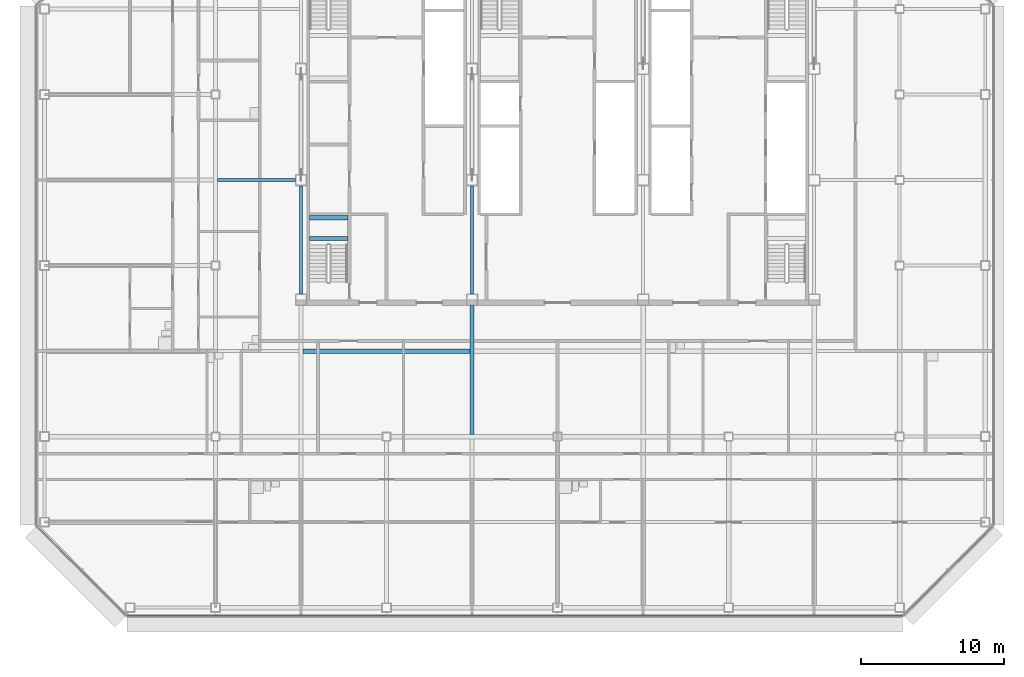
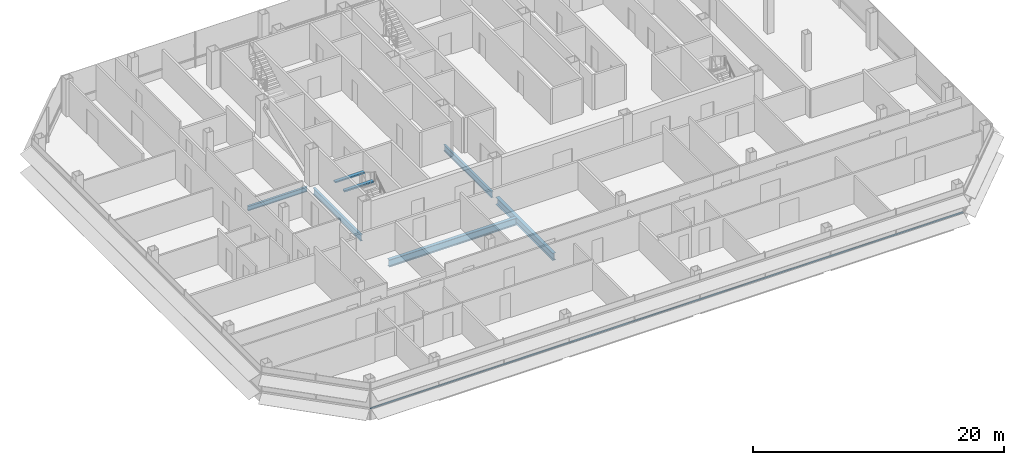
# One storey, part 7 of 26: 7 beams, 1 member, 1 element without a shape of its own.
"""IFC4 building model written with IfcOpenShell, lengths in metres."""

from ifc_helpers import new_model, si_unit, direction, frame, origin, origin_2d, place, context, subcontext, project, spatial, rectangle, i_section, extrude, material, material_profile, profile_set, type_object, element, aggregate, save


model = new_model("IFC4")

# Units and contexts
model_context = context("Model", 3, precision=1e-05, world=origin(), true_north=direction((0.0, 1.0)))
body_context = subcontext(model_context, "Body", "Model", "MODEL_VIEW")
ifc_project = project(units=[si_unit("LENGTHUNIT", "METRE"), si_unit("AREAUNIT", "SQUARE_METRE"), si_unit("VOLUMEUNIT", "CUBIC_METRE"), si_unit("PLANEANGLEUNIT", "RADIAN"), si_unit("MASSUNIT", "GRAM", prefix="KILO")], contexts=[model_context])

# Site, building, storey
site_placement = place(None, origin())
site = spatial("IfcSite", under=ifc_project, at=site_placement, CompositionType="ELEMENT")
building_placement = place(site_placement, origin())
building = spatial("IfcBuilding", under=site, at=building_placement, Name="Sorahane Residences", CompositionType="ELEMENT")
storey_placement = place(building_placement, frame((0.0, 0.0, 215.39990234375)))
storey = spatial("IfcBuildingStorey", under=building, at=storey_placement, Name="L50", CompositionType="ELEMENT", Elevation=215.39990234375)

# Curtain wall, member
ifc_material_1 = material(Name="Dark low-e glass and black anodised aluminium", Category="aluminium")
curtain_wall_type = type_object("IfcCurtainWallType", Name="Curtain wall CW-1 Typical unitised wall", PredefinedType="NOTDEFINED", material=ifc_material_1)
curtain_wall_placement = place(storey_placement, origin())
curtain_wall = element("IfcCurtainWall", 1, at=curtain_wall_placement, inside=storey, type_object=curtain_wall_type, Name="CW-1 curtain wall L50 S1", PredefinedType="NOTDEFINED")
ifc_material_2 = material(Name="Black anodised aluminium", Category="aluminium")
ifc_material_profile_1 = material_profile(ifc_material_2, rectangle(XDim=0.10009765625, YDim=0.06005859375, at=origin_2d()), Name="Curtain wall transom CW-1 black anodised aluminium 60x100")
ifc_profile_set_1 = profile_set([ifc_material_profile_1], Name="Black anodised aluminium")
member_type = type_object("IfcMemberType", Name="Curtain wall transom CW-1 black anodised aluminium 60x100", PredefinedType="USERDEFINED", material=ifc_profile_set_1)
member_placement = place(storey_placement, frame((-6.198486328125, -0.530029296875, 0.900146484375), z_axis=(1.0, 0.0, 0.0), x_axis=(0.0, 1.0, 0.0)))
member = element("IfcMember", 2, at=member_placement, type_object=member_type, Name="CW-1 transom L50 S1", ObjectType="TRANSOM", PredefinedType="USERDEFINED", context=body_context, shape_type="SweptSolid", body=[
    extrude(rectangle(XDim=0.10009765625, YDim=0.06005859375, at=origin_2d()), origin(), (0.0, 0.0, 1.0), 54.39697265625),
])
aggregate(curtain_wall, [member])

# Beams
ifc_material_3 = material(Name="Concrete C40", Category="concrete")
ifc_material_profile_2 = material_profile(ifc_material_3, rectangle(XDim=0.300048828125, YDim=0.139892578125, at=origin_2d()), Name="300x140")
ifc_profile_set_2 = profile_set([ifc_material_profile_2], Name="Concrete C40")
beam_type_1 = type_object("IfcBeamType", Name="RC landing beam 300 x 140 Concrete C40", PredefinedType="BEAM", material=ifc_profile_set_2)
for number, where, z_axis, x_axis, name in (
    (3, (6.60009765625, 25.89990234375, 1.530029296875), (1.0, 0.0, 0.0), (0.0, 1.0, 0.0), "Landing beam"),
    (4, (6.60009765625, 27.35009765625, 1.530029296875), (1.0, 0.0, 0.0), (0.0, 1.0, 0.0), "Landing beam"),
):
    element("IfcBeam", number, at=place(storey_placement, frame(where, z_axis=z_axis, x_axis=x_axis)), inside=storey, type_object=beam_type_1, Name=name, PredefinedType="BEAM", context=body_context, shape_type="SweptSolid", body=[
        extrude(rectangle(XDim=0.300048828125, YDim=0.139892578125, at=origin_2d()), origin(), (0.0, 0.0, 1.0), 2.699951171875),
    ])
ifc_material_4 = material(Name="Steel Q355B", Category="steel")
ifc_material_profile_3 = material_profile(ifc_material_4, i_section(OverallWidth=0.199951171875, OverallDepth=0.449951171875, WebThickness=0.009033203125, FlangeThickness=0.013916015625, FilletRadius=0.02001953125, at=origin_2d()), Name="HN 450x200x9x14")
ifc_profile_set_3 = profile_set([ifc_material_profile_3], Name="Steel Q355B")
beam_type_2 = type_object("IfcBeamType", Name="Steel floor beam HN 450x200x9x14 Q355B", PredefinedType="BEAM", material=ifc_profile_set_3)
beam_1_placement = place(storey_placement, frame((0.14990234375, 30.0, -0.40478515625), z_axis=(1.0, 0.0, 0.0), x_axis=(0.0, 1.0, 0.0)))
element("IfcBeam", 5, at=beam_1_placement, inside=storey, type_object=beam_type_2, Name="Beam L50 086", PredefinedType="BEAM", context=body_context, shape_type="SweptSolid", body=[
    extrude(i_section(OverallWidth=0.199951171875, OverallDepth=0.449951171875, WebThickness=0.009033203125, FlangeThickness=0.013916015625, FilletRadius=0.02001953125, at=origin_2d()), origin(), (0.0, 0.0, 1.0), 5.4501953125),
])
ifc_material_5 = material(Name="Steel Q355B", Category="steel")
ifc_material_profile_4 = material_profile(ifc_material_5, i_section(OverallWidth=0.199951171875, OverallDepth=0.60009765625, WebThickness=0.010986328125, FlangeThickness=0.01708984375, FilletRadius=0.02392578125, at=origin_2d()), Name="HN 600x200x11x17")
ifc_profile_set_4 = profile_set([ifc_material_profile_4], Name="Steel Q355B")
beam_type_3 = type_object("IfcBeamType", Name="Steel floor beam HN 600x200x11x17 Q355B", PredefinedType="BEAM", material=ifc_profile_set_4)
for number, where, z_axis, x_axis, name in (
    (6, (6.0, 22.0, -0.47998046875), (0.0, 1.0, 0.0), (-1.0, 0.0, 0.0), "Beam L50 030"),
    (7, (18.0, 22.0, -0.47998046875), (0.0, 1.0, 0.0), (-1.0, 0.0, 0.0), "Beam L50 038"),
):
    element("IfcBeam", number, at=place(storey_placement, frame(where, z_axis=z_axis, x_axis=x_axis)), inside=storey, type_object=beam_type_3, Name=name, PredefinedType="BEAM", context=body_context, shape_type="SweptSolid", body=[
        extrude(i_section(OverallWidth=0.199951171875, OverallDepth=0.60009765625, WebThickness=0.010986328125, FlangeThickness=0.01708984375, FilletRadius=0.02392578125, at=origin_2d()), origin(), (0.0, 0.0, 1.0), 7.60009765625),
    ])
ifc_material_6 = material(Name="Steel Q355B", Category="steel")
ifc_material_profile_5 = material_profile(ifc_material_6, i_section(OverallWidth=0.300048828125, OverallDepth=0.699951171875, WebThickness=0.012939453125, FlangeThickness=0.02392578125, FilletRadius=0.028076171875, at=origin_2d()), Name="HN 700x300x13x24")
ifc_profile_set_5 = profile_set([ifc_material_profile_5], Name="Steel Q355B")
beam_type_4 = type_object("IfcBeamType", Name="Steel floor beam HN 700x300x13x24 Q355B", PredefinedType="BEAM", material=ifc_profile_set_5)
beam_2_placement = place(storey_placement, frame((18.0, 12.14990234375, -0.52978515625), z_axis=(0.0, 1.0, 0.0), x_axis=(-1.0, 0.0, 0.0)))
element("IfcBeam", 8, at=beam_2_placement, inside=storey, type_object=beam_type_4, Name="Beam L50 037", PredefinedType="BEAM", context=body_context, shape_type="SweptSolid", body=[
    extrude(i_section(OverallWidth=0.300048828125, OverallDepth=0.699951171875, WebThickness=0.012939453125, FlangeThickness=0.02392578125, FilletRadius=0.028076171875, at=origin_2d()), origin(), (0.0, 0.0, 1.0), 9.050048828125),
])
beam_3_placement = place(storey_placement, frame((6.14990234375, 18.0, -0.52978515625), z_axis=(1.0, 0.0, 0.0), x_axis=(0.0, 1.0, 0.0)))
element("IfcBeam", 9, at=beam_3_placement, inside=storey, type_object=beam_type_4, Name="Beam L50 080", PredefinedType="BEAM", context=body_context, shape_type="SweptSolid", body=[
    extrude(i_section(OverallWidth=0.300048828125, OverallDepth=0.699951171875, WebThickness=0.012939453125, FlangeThickness=0.02392578125, FilletRadius=0.028076171875, at=origin_2d()), origin(), (0.0, 0.0, 1.0), 11.7001953125),
])

save(model, "model.ifc")
